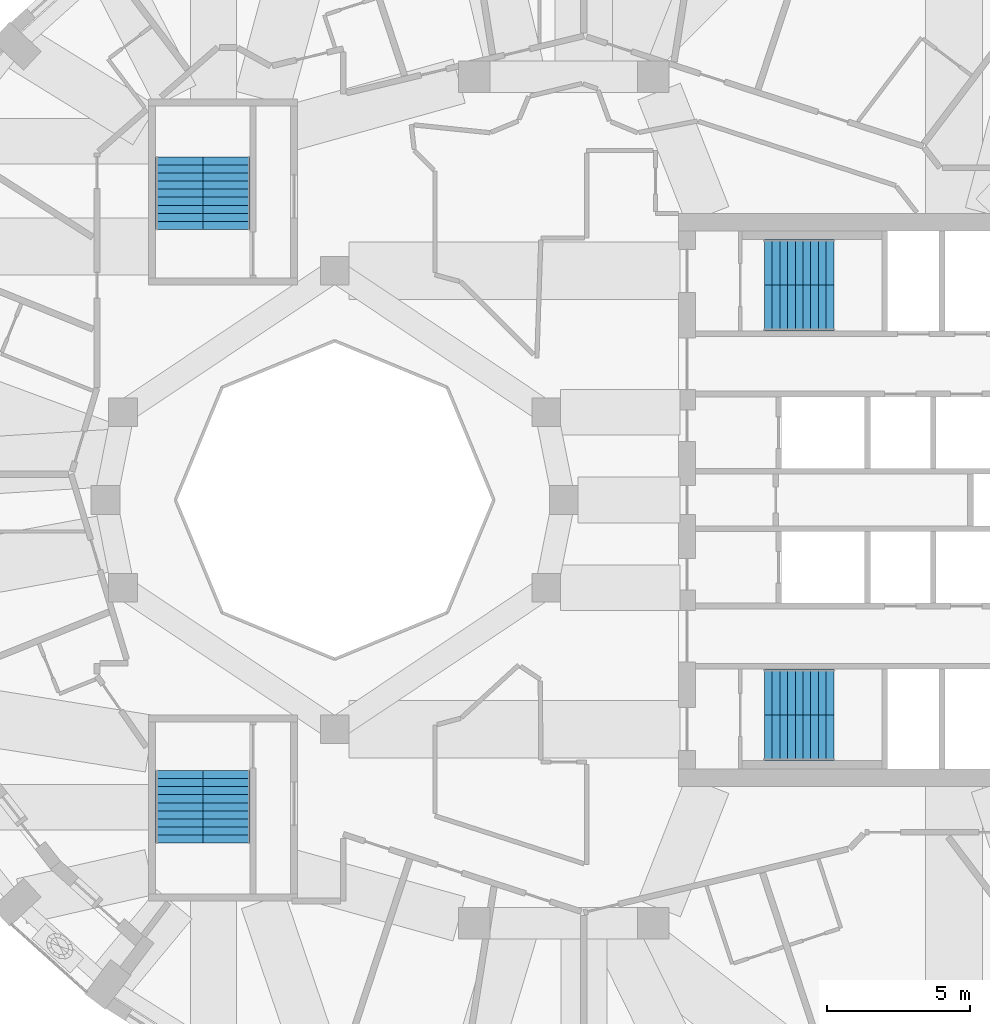
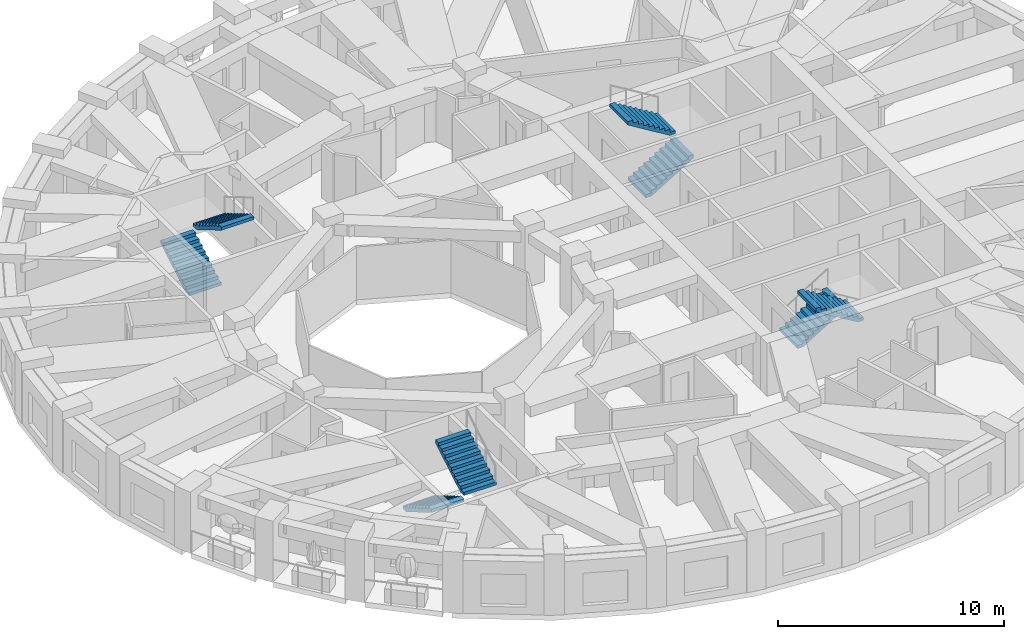
# One storey, part 9 of 12: 8 stair flights, 4 elements without a shape of their own.
"""IFC4 building model written with IfcOpenShell, lengths in metres."""

from ifc_helpers import new_model, si_unit, direction, frame, origin, place, context, subcontext, project, spatial, polyline, outline, extrude, material, type_object, element, aggregate, save


model = new_model("IFC4")

# Units and contexts
model_context = context("Model", 3, precision=1e-05, world=origin(), true_north=direction((0.0, 1.0)))
body_context = subcontext(model_context, "Body", "Model", "MODEL_VIEW")
ifc_project = project(units=[si_unit("LENGTHUNIT", "METRE"), si_unit("AREAUNIT", "SQUARE_METRE"), si_unit("VOLUMEUNIT", "CUBIC_METRE"), si_unit("PLANEANGLEUNIT", "RADIAN"), si_unit("MASSUNIT", "GRAM", prefix="KILO")], contexts=[model_context])

# Site, building, storey
site_placement = place(None, origin())
site = spatial("IfcSite", under=ifc_project, at=site_placement, CompositionType="ELEMENT")
building_placement = place(site_placement, origin())
building = spatial("IfcBuilding", under=site, at=building_placement, Name="Taillehof Tower", CompositionType="ELEMENT")
storey_placement = place(building_placement, frame((0.0, 0.0, 225.5)))
storey = spatial("IfcBuildingStorey", under=building, at=storey_placement, Name="L64", CompositionType="ELEMENT", Elevation=225.5)

# Stair, stair flights
ifc_material_1 = material(Name="Concrete C40/50", Category="concrete")
stair_type = type_object("IfcStairType", Name="Exit stair half-turn", PredefinedType="HALF_TURN_STAIR", material=ifc_material_1)
stair_1_placement = place(storey_placement, origin())
stair_1 = element("IfcStair", 1, at=stair_1_placement, inside=storey, type_object=stair_type, Name="Exit stair S1", PredefinedType="HALF_TURN_STAIR")
ifc_material_2 = material(Name="Concrete C40/50", Category="concrete")
stair_flight_type_1 = type_object("IfcStairFlightType", Name="Stair flight 1600 riser 165.0 going 270", PredefinedType="STRAIGHT", material=ifc_material_2)
stair_flight_1_placement = place(storey_placement, frame((7.0, 6.699951171875, 0.0), z_axis=(0.0, 0.0, 1.0), x_axis=(1.0, 0.0, 0.0)))
stair_flight_1 = element("IfcStairFlight", 2, at=stair_flight_1_placement, type_object=stair_flight_type_1, Name="S1 flight 1", NumberOfRisers=10, NumberOfTreads=9, PredefinedType="STRAIGHT", RiserHeight=0.165, TreadLength=0.27, context=body_context, shape_type="SweptSolid", body=[
    extrude(outline(polyline([(0.0, 0.0), (0.0, 0.00537109375), (0.0, 0.0107421875), (0.0, 0.015869140625), (0.0, 0.021240234375), (0.0, 0.026611328125), (0.0, 0.031982421875), (0.0, 0.037353515625), (0.0, 0.04248046875), (0.0, 0.0478515625), (0.0, 0.05322265625), (0.0, 0.05859375), (0.0, 0.06396484375), (0.0, 0.069091796875), (0.0, 0.074462890625), (0.0, 0.079833984375), (0.0, 0.085205078125), (0.0, 0.090576171875), (0.0, 0.095703125), (0.0, 0.10107421875), (0.0, 0.1064453125), (0.0, 0.11181640625), (0.0, 0.1171875), (0.0, 0.122314453125), (0.0, 0.127685546875), (0.0, 0.133056640625), (0.0, 0.138427734375), (0.0, 0.143798828125), (0.0, 0.14892578125), (0.0, 0.154296875), (0.0, 0.15966796875), (0.0, 0.1650390625), (0.27001953125, 0.1650390625), (0.27001953125, 0.330078125), (0.5400390625, 0.330078125), (0.5400390625, 0.4951171875), (0.81005859375, 0.4951171875), (0.81005859375, 0.659912109375), (1.080078125, 0.659912109375), (1.080078125, 0.824951171875), (1.35009765625, 0.824951171875), (1.35009765625, 0.989990234375), (1.6201171875, 0.989990234375), (1.6201171875, 1.155029296875), (1.889892578125, 1.155029296875), (1.889892578125, 1.320068359375), (2.159912109375, 1.320068359375), (2.159912109375, 1.485107421875), (2.429931640625, 1.485107421875), (2.429931640625, 1.479248046875), (2.429931640625, 1.4736328125), (2.429931640625, 1.468017578125), (2.429931640625, 1.46240234375), (2.429931640625, 1.45654296875), (2.429931640625, 1.450927734375), (2.429931640625, 1.4453125), (2.429931640625, 1.439697265625), (2.429931640625, 1.43408203125), (2.429931640625, 1.42822265625), (2.429931640625, 1.422607421875), (2.429931640625, 1.4169921875), (2.429931640625, 1.411376953125), (2.429931640625, 1.40576171875), (2.429931640625, 1.39990234375), (2.429931640625, 1.394287109375), (2.429931640625, 1.388671875), (2.429931640625, 1.383056640625), (2.429931640625, 1.37744140625), (2.429931640625, 1.37158203125), (2.429931640625, 1.365966796875), (2.429931640625, 1.3603515625), (2.429931640625, 1.354736328125), (2.429931640625, 1.348876953125), (2.429931640625, 1.34326171875), (2.429931640625, 1.337646484375), (2.429931640625, 1.33203125), (2.429931640625, 1.326416015625), (2.429931640625, 1.320556640625), (2.429931640625, 1.31494140625), (2.429931640625, 1.309326171875), (0.287353515625, 0.0), (0.0, 0.0)])), frame((0.0, 0.800048828125, 0.0), z_axis=(0.0, -1.0, 0.0), x_axis=(1.0, 0.0, 0.0)), (0.0, 0.0, 1.0), 1.6),
])
stair_flight_2_placement = place(storey_placement, frame((9.429931640625, 8.300048828125, 1.64990234375), z_axis=(0.0, 0.0, 1.0), x_axis=(-1.0, 0.0, 0.0)))
stair_flight_2 = element("IfcStairFlight", 3, at=stair_flight_2_placement, type_object=stair_flight_type_1, Name="S1 flight 2", NumberOfRisers=10, NumberOfTreads=9, PredefinedType="STRAIGHT", RiserHeight=0.165, TreadLength=0.27, context=body_context, shape_type="SweptSolid", body=[
    extrude(outline(polyline([(0.0, 0.0), (0.0, 0.00537109375), (0.0, 0.0107421875), (0.0, 0.015869140625), (0.0, 0.021240234375), (0.0, 0.026611328125), (0.0, 0.031982421875), (0.0, 0.037353515625), (0.0, 0.04248046875), (0.0, 0.0478515625), (0.0, 0.05322265625), (0.0, 0.05859375), (0.0, 0.06396484375), (0.0, 0.069091796875), (0.0, 0.074462890625), (0.0, 0.079833984375), (0.0, 0.085205078125), (0.0, 0.090576171875), (0.0, 0.095703125), (0.0, 0.10107421875), (0.0, 0.1064453125), (0.0, 0.11181640625), (0.0, 0.1171875), (0.0, 0.122314453125), (0.0, 0.127685546875), (0.0, 0.133056640625), (0.0, 0.138427734375), (0.0, 0.143798828125), (0.0, 0.14892578125), (0.0, 0.154296875), (0.0, 0.15966796875), (0.0, 0.1650390625), (0.27001953125, 0.1650390625), (0.27001953125, 0.330078125), (0.5400390625, 0.330078125), (0.5400390625, 0.4951171875), (0.81005859375, 0.4951171875), (0.81005859375, 0.659912109375), (1.080078125, 0.659912109375), (1.080078125, 0.824951171875), (1.35009765625, 0.824951171875), (1.35009765625, 0.989990234375), (1.6201171875, 0.989990234375), (1.6201171875, 1.155029296875), (1.889892578125, 1.155029296875), (1.889892578125, 1.320068359375), (2.159912109375, 1.320068359375), (2.159912109375, 1.485107421875), (2.429931640625, 1.485107421875), (2.429931640625, 1.479248046875), (2.429931640625, 1.4736328125), (2.429931640625, 1.468017578125), (2.429931640625, 1.46240234375), (2.429931640625, 1.45654296875), (2.429931640625, 1.450927734375), (2.429931640625, 1.4453125), (2.429931640625, 1.439697265625), (2.429931640625, 1.43408203125), (2.429931640625, 1.42822265625), (2.429931640625, 1.422607421875), (2.429931640625, 1.4169921875), (2.429931640625, 1.411376953125), (2.429931640625, 1.40576171875), (2.429931640625, 1.39990234375), (2.429931640625, 1.394287109375), (2.429931640625, 1.388671875), (2.429931640625, 1.383056640625), (2.429931640625, 1.37744140625), (2.429931640625, 1.37158203125), (2.429931640625, 1.365966796875), (2.429931640625, 1.3603515625), (2.429931640625, 1.354736328125), (2.429931640625, 1.348876953125), (2.429931640625, 1.34326171875), (2.429931640625, 1.337646484375), (2.429931640625, 1.33203125), (2.429931640625, 1.326416015625), (2.429931640625, 1.320556640625), (2.429931640625, 1.31494140625), (2.429931640625, 1.309326171875), (0.287353515625, 0.0), (0.0, 0.0)])), frame((0.0, 0.800048828125, 0.0), z_axis=(0.0, -1.0, 0.0), x_axis=(1.0, 0.0, 0.0)), (0.0, 0.0, 1.0), 1.6),
])
aggregate(stair_1, [stair_flight_1, stair_flight_2])

stair_2_placement = place(storey_placement, origin())
stair_2 = element("IfcStair", 4, at=stair_2_placement, inside=storey, type_object=stair_type, Name="Exit stair S2", PredefinedType="HALF_TURN_STAIR")
stair_flight_3_placement = place(storey_placement, frame((7.0, -6.699951171875, 0.0), z_axis=(0.0, 0.0, 1.0), x_axis=(1.0, 0.0, 0.0)))
stair_flight_3 = element("IfcStairFlight", 5, at=stair_flight_3_placement, type_object=stair_flight_type_1, Name="S2 flight 1", NumberOfRisers=10, NumberOfTreads=9, PredefinedType="STRAIGHT", RiserHeight=0.165, TreadLength=0.27, context=body_context, shape_type="SweptSolid", body=[
    extrude(outline(polyline([(0.0, 0.0), (0.0, 0.00537109375), (0.0, 0.0107421875), (0.0, 0.015869140625), (0.0, 0.021240234375), (0.0, 0.026611328125), (0.0, 0.031982421875), (0.0, 0.037353515625), (0.0, 0.04248046875), (0.0, 0.0478515625), (0.0, 0.05322265625), (0.0, 0.05859375), (0.0, 0.06396484375), (0.0, 0.069091796875), (0.0, 0.074462890625), (0.0, 0.079833984375), (0.0, 0.085205078125), (0.0, 0.090576171875), (0.0, 0.095703125), (0.0, 0.10107421875), (0.0, 0.1064453125), (0.0, 0.11181640625), (0.0, 0.1171875), (0.0, 0.122314453125), (0.0, 0.127685546875), (0.0, 0.133056640625), (0.0, 0.138427734375), (0.0, 0.143798828125), (0.0, 0.14892578125), (0.0, 0.154296875), (0.0, 0.15966796875), (0.0, 0.1650390625), (0.27001953125, 0.1650390625), (0.27001953125, 0.330078125), (0.5400390625, 0.330078125), (0.5400390625, 0.4951171875), (0.81005859375, 0.4951171875), (0.81005859375, 0.659912109375), (1.080078125, 0.659912109375), (1.080078125, 0.824951171875), (1.35009765625, 0.824951171875), (1.35009765625, 0.989990234375), (1.6201171875, 0.989990234375), (1.6201171875, 1.155029296875), (1.889892578125, 1.155029296875), (1.889892578125, 1.320068359375), (2.159912109375, 1.320068359375), (2.159912109375, 1.485107421875), (2.429931640625, 1.485107421875), (2.429931640625, 1.479248046875), (2.429931640625, 1.4736328125), (2.429931640625, 1.468017578125), (2.429931640625, 1.46240234375), (2.429931640625, 1.45654296875), (2.429931640625, 1.450927734375), (2.429931640625, 1.4453125), (2.429931640625, 1.439697265625), (2.429931640625, 1.43408203125), (2.429931640625, 1.42822265625), (2.429931640625, 1.422607421875), (2.429931640625, 1.4169921875), (2.429931640625, 1.411376953125), (2.429931640625, 1.40576171875), (2.429931640625, 1.39990234375), (2.429931640625, 1.394287109375), (2.429931640625, 1.388671875), (2.429931640625, 1.383056640625), (2.429931640625, 1.37744140625), (2.429931640625, 1.37158203125), (2.429931640625, 1.365966796875), (2.429931640625, 1.3603515625), (2.429931640625, 1.354736328125), (2.429931640625, 1.348876953125), (2.429931640625, 1.34326171875), (2.429931640625, 1.337646484375), (2.429931640625, 1.33203125), (2.429931640625, 1.326416015625), (2.429931640625, 1.320556640625), (2.429931640625, 1.31494140625), (2.429931640625, 1.309326171875), (0.287353515625, 0.0), (0.0, 0.0)])), frame((0.0, 0.800048828125, 0.0), z_axis=(0.0, -1.0, 0.0), x_axis=(1.0, 0.0, 0.0)), (0.0, 0.0, 1.0), 1.6),
])
stair_flight_4_placement = place(storey_placement, frame((9.429931640625, -8.300048828125, 1.64990234375), z_axis=(0.0, 0.0, 1.0), x_axis=(-1.0, 0.0, 0.0)))
stair_flight_4 = element("IfcStairFlight", 6, at=stair_flight_4_placement, type_object=stair_flight_type_1, Name="S2 flight 2", NumberOfRisers=10, NumberOfTreads=9, PredefinedType="STRAIGHT", RiserHeight=0.165, TreadLength=0.27, context=body_context, shape_type="SweptSolid", body=[
    extrude(outline(polyline([(0.0, 0.0), (0.0, 0.00537109375), (0.0, 0.0107421875), (0.0, 0.015869140625), (0.0, 0.021240234375), (0.0, 0.026611328125), (0.0, 0.031982421875), (0.0, 0.037353515625), (0.0, 0.04248046875), (0.0, 0.0478515625), (0.0, 0.05322265625), (0.0, 0.05859375), (0.0, 0.06396484375), (0.0, 0.069091796875), (0.0, 0.074462890625), (0.0, 0.079833984375), (0.0, 0.085205078125), (0.0, 0.090576171875), (0.0, 0.095703125), (0.0, 0.10107421875), (0.0, 0.1064453125), (0.0, 0.11181640625), (0.0, 0.1171875), (0.0, 0.122314453125), (0.0, 0.127685546875), (0.0, 0.133056640625), (0.0, 0.138427734375), (0.0, 0.143798828125), (0.0, 0.14892578125), (0.0, 0.154296875), (0.0, 0.15966796875), (0.0, 0.1650390625), (0.27001953125, 0.1650390625), (0.27001953125, 0.330078125), (0.5400390625, 0.330078125), (0.5400390625, 0.4951171875), (0.81005859375, 0.4951171875), (0.81005859375, 0.659912109375), (1.080078125, 0.659912109375), (1.080078125, 0.824951171875), (1.35009765625, 0.824951171875), (1.35009765625, 0.989990234375), (1.6201171875, 0.989990234375), (1.6201171875, 1.155029296875), (1.889892578125, 1.155029296875), (1.889892578125, 1.320068359375), (2.159912109375, 1.320068359375), (2.159912109375, 1.485107421875), (2.429931640625, 1.485107421875), (2.429931640625, 1.479248046875), (2.429931640625, 1.4736328125), (2.429931640625, 1.468017578125), (2.429931640625, 1.46240234375), (2.429931640625, 1.45654296875), (2.429931640625, 1.450927734375), (2.429931640625, 1.4453125), (2.429931640625, 1.439697265625), (2.429931640625, 1.43408203125), (2.429931640625, 1.42822265625), (2.429931640625, 1.422607421875), (2.429931640625, 1.4169921875), (2.429931640625, 1.411376953125), (2.429931640625, 1.40576171875), (2.429931640625, 1.39990234375), (2.429931640625, 1.394287109375), (2.429931640625, 1.388671875), (2.429931640625, 1.383056640625), (2.429931640625, 1.37744140625), (2.429931640625, 1.37158203125), (2.429931640625, 1.365966796875), (2.429931640625, 1.3603515625), (2.429931640625, 1.354736328125), (2.429931640625, 1.348876953125), (2.429931640625, 1.34326171875), (2.429931640625, 1.337646484375), (2.429931640625, 1.33203125), (2.429931640625, 1.326416015625), (2.429931640625, 1.320556640625), (2.429931640625, 1.31494140625), (2.429931640625, 1.309326171875), (0.287353515625, 0.0), (0.0, 0.0)])), frame((0.0, 0.800048828125, 0.0), z_axis=(0.0, -1.0, 0.0), x_axis=(1.0, 0.0, 0.0)), (0.0, 0.0, 1.0), 1.6),
])
aggregate(stair_2, [stair_flight_3, stair_flight_4])

stair_3_placement = place(storey_placement, origin())
stair_3 = element("IfcStair", 7, at=stair_3_placement, inside=storey, type_object=stair_type, Name="Exit stair S3", PredefinedType="HALF_TURN_STAIR")
ifc_material_3 = material(Name="Concrete C40/50", Category="concrete")
stair_flight_type_2 = type_object("IfcStairFlightType", Name="Stair flight 1650 riser 165.0 going 280", PredefinedType="STRAIGHT", material=ifc_material_3)
stair_flight_5_placement = place(storey_placement, frame((-13.425048828125, 9.449951171875, 0.0), z_axis=(0.0, 0.0, 1.0), x_axis=(0.0, 1.0, 0.0)))
stair_flight_5 = element("IfcStairFlight", 8, at=stair_flight_5_placement, type_object=stair_flight_type_2, Name="S3 flight 1", NumberOfRisers=10, NumberOfTreads=9, PredefinedType="STRAIGHT", RiserHeight=0.165, TreadLength=0.28, context=body_context, shape_type="SweptSolid", body=[
    extrude(outline(polyline([(0.0, 0.0), (0.0, 0.00537109375), (0.0, 0.0107421875), (0.0, 0.015869140625), (0.0, 0.021240234375), (0.0, 0.026611328125), (0.0, 0.031982421875), (0.0, 0.037353515625), (0.0, 0.04248046875), (0.0, 0.0478515625), (0.0, 0.05322265625), (0.0, 0.05859375), (0.0, 0.06396484375), (0.0, 0.069091796875), (0.0, 0.074462890625), (0.0, 0.079833984375), (0.0, 0.085205078125), (0.0, 0.090576171875), (0.0, 0.095703125), (0.0, 0.10107421875), (0.0, 0.1064453125), (0.0, 0.11181640625), (0.0, 0.1171875), (0.0, 0.122314453125), (0.0, 0.127685546875), (0.0, 0.133056640625), (0.0, 0.138427734375), (0.0, 0.143798828125), (0.0, 0.14892578125), (0.0, 0.154296875), (0.0, 0.15966796875), (0.0, 0.1650390625), (0.280029296875, 0.1650390625), (0.280029296875, 0.330078125), (0.56005859375, 0.330078125), (0.56005859375, 0.4951171875), (0.840087890625, 0.4951171875), (0.840087890625, 0.659912109375), (1.1201171875, 0.659912109375), (1.1201171875, 0.824951171875), (1.39990234375, 0.824951171875), (1.39990234375, 0.989990234375), (1.679931640625, 0.989990234375), (1.679931640625, 1.155029296875), (1.9599609375, 1.155029296875), (1.9599609375, 1.320068359375), (2.239990234375, 1.320068359375), (2.239990234375, 1.485107421875), (2.52001953125, 1.485107421875), (2.52001953125, 1.4794921875), (2.52001953125, 1.473876953125), (2.52001953125, 1.46826171875), (2.52001953125, 1.462646484375), (2.52001953125, 1.45703125), (2.52001953125, 1.451416015625), (2.52001953125, 1.44580078125), (2.52001953125, 1.440185546875), (2.52001953125, 1.4345703125), (2.52001953125, 1.428955078125), (2.52001953125, 1.42333984375), (2.52001953125, 1.417724609375), (2.52001953125, 1.412109375), (2.52001953125, 1.406494140625), (2.52001953125, 1.40087890625), (2.52001953125, 1.395263671875), (2.52001953125, 1.3896484375), (2.52001953125, 1.384033203125), (2.52001953125, 1.37841796875), (2.52001953125, 1.372802734375), (2.52001953125, 1.3671875), (2.52001953125, 1.361572265625), (2.52001953125, 1.35595703125), (2.52001953125, 1.350341796875), (2.52001953125, 1.3447265625), (2.52001953125, 1.339111328125), (2.52001953125, 1.33349609375), (2.52001953125, 1.327880859375), (2.52001953125, 1.322265625), (2.52001953125, 1.316650390625), (2.52001953125, 1.31103515625), (0.295166015625, 0.0), (0.0, 0.0)])), frame((0.0, 0.824951171875, 0.0), z_axis=(0.0, -1.0, 0.0), x_axis=(1.0, 0.0, 0.0)), (0.0, 0.0, 1.0), 1.65),
])
stair_flight_6_placement = place(storey_placement, frame((-11.77490234375, 11.969970703125, 1.64990234375), z_axis=(0.0, 0.0, 1.0), x_axis=(0.0, -1.0, 0.0)))
stair_flight_6 = element("IfcStairFlight", 9, at=stair_flight_6_placement, type_object=stair_flight_type_2, Name="S3 flight 2", NumberOfRisers=10, NumberOfTreads=9, PredefinedType="STRAIGHT", RiserHeight=0.165, TreadLength=0.28, context=body_context, shape_type="SweptSolid", body=[
    extrude(outline(polyline([(0.0, 0.0), (0.0, 0.00537109375), (0.0, 0.0107421875), (0.0, 0.015869140625), (0.0, 0.021240234375), (0.0, 0.026611328125), (0.0, 0.031982421875), (0.0, 0.037353515625), (0.0, 0.04248046875), (0.0, 0.0478515625), (0.0, 0.05322265625), (0.0, 0.05859375), (0.0, 0.06396484375), (0.0, 0.069091796875), (0.0, 0.074462890625), (0.0, 0.079833984375), (0.0, 0.085205078125), (0.0, 0.090576171875), (0.0, 0.095703125), (0.0, 0.10107421875), (0.0, 0.1064453125), (0.0, 0.11181640625), (0.0, 0.1171875), (0.0, 0.122314453125), (0.0, 0.127685546875), (0.0, 0.133056640625), (0.0, 0.138427734375), (0.0, 0.143798828125), (0.0, 0.14892578125), (0.0, 0.154296875), (0.0, 0.15966796875), (0.0, 0.1650390625), (0.280029296875, 0.1650390625), (0.280029296875, 0.330078125), (0.56005859375, 0.330078125), (0.56005859375, 0.4951171875), (0.840087890625, 0.4951171875), (0.840087890625, 0.659912109375), (1.1201171875, 0.659912109375), (1.1201171875, 0.824951171875), (1.39990234375, 0.824951171875), (1.39990234375, 0.989990234375), (1.679931640625, 0.989990234375), (1.679931640625, 1.155029296875), (1.9599609375, 1.155029296875), (1.9599609375, 1.320068359375), (2.239990234375, 1.320068359375), (2.239990234375, 1.485107421875), (2.52001953125, 1.485107421875), (2.52001953125, 1.4794921875), (2.52001953125, 1.473876953125), (2.52001953125, 1.46826171875), (2.52001953125, 1.462646484375), (2.52001953125, 1.45703125), (2.52001953125, 1.451416015625), (2.52001953125, 1.44580078125), (2.52001953125, 1.440185546875), (2.52001953125, 1.4345703125), (2.52001953125, 1.428955078125), (2.52001953125, 1.42333984375), (2.52001953125, 1.417724609375), (2.52001953125, 1.412109375), (2.52001953125, 1.406494140625), (2.52001953125, 1.40087890625), (2.52001953125, 1.395263671875), (2.52001953125, 1.3896484375), (2.52001953125, 1.384033203125), (2.52001953125, 1.37841796875), (2.52001953125, 1.372802734375), (2.52001953125, 1.3671875), (2.52001953125, 1.361572265625), (2.52001953125, 1.35595703125), (2.52001953125, 1.350341796875), (2.52001953125, 1.3447265625), (2.52001953125, 1.339111328125), (2.52001953125, 1.33349609375), (2.52001953125, 1.327880859375), (2.52001953125, 1.322265625), (2.52001953125, 1.316650390625), (2.52001953125, 1.31103515625), (0.295166015625, 0.0), (0.0, 0.0)])), frame((0.0, 0.824951171875, 0.0), z_axis=(0.0, -1.0, 0.0), x_axis=(1.0, 0.0, 0.0)), (0.0, 0.0, 1.0), 1.65),
])
aggregate(stair_3, [stair_flight_5, stair_flight_6])

stair_4_placement = place(storey_placement, origin())
stair_4 = element("IfcStair", 10, at=stair_4_placement, inside=storey, type_object=stair_type, Name="Exit stair S4", PredefinedType="HALF_TURN_STAIR")
stair_flight_7_placement = place(storey_placement, frame((-13.425048828125, -9.449951171875, 0.0), z_axis=(0.0, 0.0, 1.0), x_axis=(0.0, -1.0, 0.0)))
stair_flight_7 = element("IfcStairFlight", 11, at=stair_flight_7_placement, type_object=stair_flight_type_2, Name="S4 flight 1", NumberOfRisers=10, NumberOfTreads=9, PredefinedType="STRAIGHT", RiserHeight=0.165, TreadLength=0.28, context=body_context, shape_type="SweptSolid", body=[
    extrude(outline(polyline([(0.0, 0.0), (0.0, 0.00537109375), (0.0, 0.0107421875), (0.0, 0.015869140625), (0.0, 0.021240234375), (0.0, 0.026611328125), (0.0, 0.031982421875), (0.0, 0.037353515625), (0.0, 0.04248046875), (0.0, 0.0478515625), (0.0, 0.05322265625), (0.0, 0.05859375), (0.0, 0.06396484375), (0.0, 0.069091796875), (0.0, 0.074462890625), (0.0, 0.079833984375), (0.0, 0.085205078125), (0.0, 0.090576171875), (0.0, 0.095703125), (0.0, 0.10107421875), (0.0, 0.1064453125), (0.0, 0.11181640625), (0.0, 0.1171875), (0.0, 0.122314453125), (0.0, 0.127685546875), (0.0, 0.133056640625), (0.0, 0.138427734375), (0.0, 0.143798828125), (0.0, 0.14892578125), (0.0, 0.154296875), (0.0, 0.15966796875), (0.0, 0.1650390625), (0.280029296875, 0.1650390625), (0.280029296875, 0.330078125), (0.56005859375, 0.330078125), (0.56005859375, 0.4951171875), (0.840087890625, 0.4951171875), (0.840087890625, 0.659912109375), (1.1201171875, 0.659912109375), (1.1201171875, 0.824951171875), (1.39990234375, 0.824951171875), (1.39990234375, 0.989990234375), (1.679931640625, 0.989990234375), (1.679931640625, 1.155029296875), (1.9599609375, 1.155029296875), (1.9599609375, 1.320068359375), (2.239990234375, 1.320068359375), (2.239990234375, 1.485107421875), (2.52001953125, 1.485107421875), (2.52001953125, 1.4794921875), (2.52001953125, 1.473876953125), (2.52001953125, 1.46826171875), (2.52001953125, 1.462646484375), (2.52001953125, 1.45703125), (2.52001953125, 1.451416015625), (2.52001953125, 1.44580078125), (2.52001953125, 1.440185546875), (2.52001953125, 1.4345703125), (2.52001953125, 1.428955078125), (2.52001953125, 1.42333984375), (2.52001953125, 1.417724609375), (2.52001953125, 1.412109375), (2.52001953125, 1.406494140625), (2.52001953125, 1.40087890625), (2.52001953125, 1.395263671875), (2.52001953125, 1.3896484375), (2.52001953125, 1.384033203125), (2.52001953125, 1.37841796875), (2.52001953125, 1.372802734375), (2.52001953125, 1.3671875), (2.52001953125, 1.361572265625), (2.52001953125, 1.35595703125), (2.52001953125, 1.350341796875), (2.52001953125, 1.3447265625), (2.52001953125, 1.339111328125), (2.52001953125, 1.33349609375), (2.52001953125, 1.327880859375), (2.52001953125, 1.322265625), (2.52001953125, 1.316650390625), (2.52001953125, 1.31103515625), (0.295166015625, 0.0), (0.0, 0.0)])), frame((0.0, 0.824951171875, 0.0), z_axis=(0.0, -1.0, 0.0), x_axis=(1.0, 0.0, 0.0)), (0.0, 0.0, 1.0), 1.65),
])
stair_flight_8_placement = place(storey_placement, frame((-11.77490234375, -11.969970703125, 1.64990234375), z_axis=(0.0, 0.0, 1.0), x_axis=(0.0, 1.0, 0.0)))
stair_flight_8 = element("IfcStairFlight", 12, at=stair_flight_8_placement, type_object=stair_flight_type_2, Name="S4 flight 2", NumberOfRisers=10, NumberOfTreads=9, PredefinedType="STRAIGHT", RiserHeight=0.165, TreadLength=0.28, context=body_context, shape_type="SweptSolid", body=[
    extrude(outline(polyline([(0.0, 0.0), (0.0, 0.00537109375), (0.0, 0.0107421875), (0.0, 0.015869140625), (0.0, 0.021240234375), (0.0, 0.026611328125), (0.0, 0.031982421875), (0.0, 0.037353515625), (0.0, 0.04248046875), (0.0, 0.0478515625), (0.0, 0.05322265625), (0.0, 0.05859375), (0.0, 0.06396484375), (0.0, 0.069091796875), (0.0, 0.074462890625), (0.0, 0.079833984375), (0.0, 0.085205078125), (0.0, 0.090576171875), (0.0, 0.095703125), (0.0, 0.10107421875), (0.0, 0.1064453125), (0.0, 0.11181640625), (0.0, 0.1171875), (0.0, 0.122314453125), (0.0, 0.127685546875), (0.0, 0.133056640625), (0.0, 0.138427734375), (0.0, 0.143798828125), (0.0, 0.14892578125), (0.0, 0.154296875), (0.0, 0.15966796875), (0.0, 0.1650390625), (0.280029296875, 0.1650390625), (0.280029296875, 0.330078125), (0.56005859375, 0.330078125), (0.56005859375, 0.4951171875), (0.840087890625, 0.4951171875), (0.840087890625, 0.659912109375), (1.1201171875, 0.659912109375), (1.1201171875, 0.824951171875), (1.39990234375, 0.824951171875), (1.39990234375, 0.989990234375), (1.679931640625, 0.989990234375), (1.679931640625, 1.155029296875), (1.9599609375, 1.155029296875), (1.9599609375, 1.320068359375), (2.239990234375, 1.320068359375), (2.239990234375, 1.485107421875), (2.52001953125, 1.485107421875), (2.52001953125, 1.4794921875), (2.52001953125, 1.473876953125), (2.52001953125, 1.46826171875), (2.52001953125, 1.462646484375), (2.52001953125, 1.45703125), (2.52001953125, 1.451416015625), (2.52001953125, 1.44580078125), (2.52001953125, 1.440185546875), (2.52001953125, 1.4345703125), (2.52001953125, 1.428955078125), (2.52001953125, 1.42333984375), (2.52001953125, 1.417724609375), (2.52001953125, 1.412109375), (2.52001953125, 1.406494140625), (2.52001953125, 1.40087890625), (2.52001953125, 1.395263671875), (2.52001953125, 1.3896484375), (2.52001953125, 1.384033203125), (2.52001953125, 1.37841796875), (2.52001953125, 1.372802734375), (2.52001953125, 1.3671875), (2.52001953125, 1.361572265625), (2.52001953125, 1.35595703125), (2.52001953125, 1.350341796875), (2.52001953125, 1.3447265625), (2.52001953125, 1.339111328125), (2.52001953125, 1.33349609375), (2.52001953125, 1.327880859375), (2.52001953125, 1.322265625), (2.52001953125, 1.316650390625), (2.52001953125, 1.31103515625), (0.295166015625, 0.0), (0.0, 0.0)])), frame((0.0, 0.824951171875, 0.0), z_axis=(0.0, -1.0, 0.0), x_axis=(1.0, 0.0, 0.0)), (0.0, 0.0, 1.0), 1.65),
])
aggregate(stair_4, [stair_flight_7, stair_flight_8])

save(model, "model.ifc")
